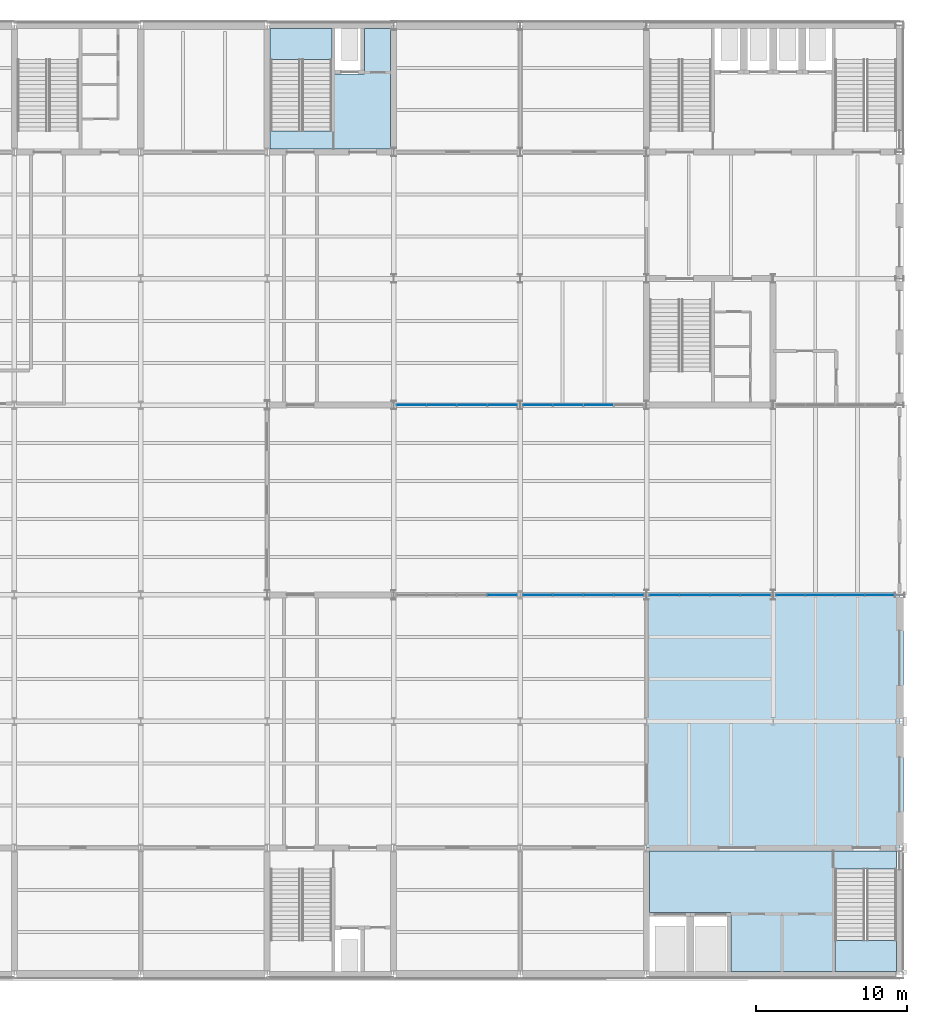
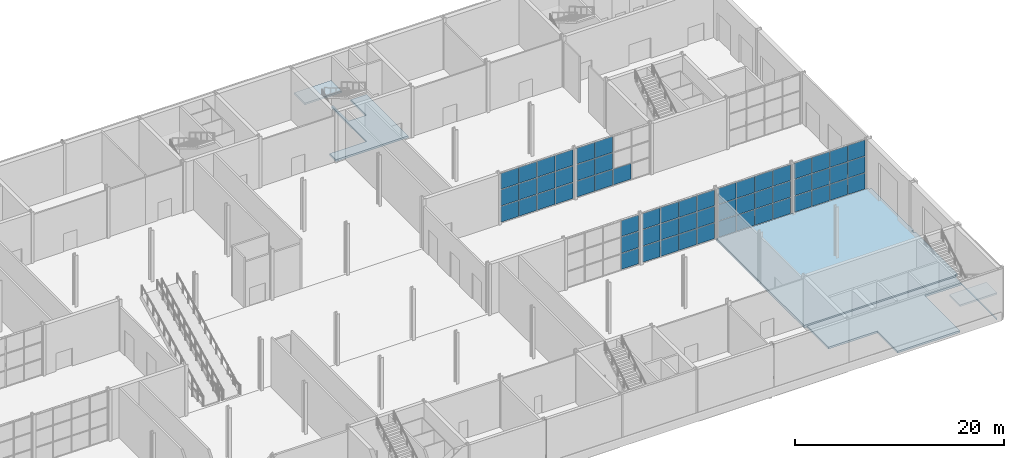
# One storey, part 28 of 55: 58 plates, 5 slabs, 8 elements without a shape of their own.
"""IFC4 building model written with IfcOpenShell, lengths in metres."""

from ifc_helpers import new_model, si_unit, direction, frame, origin, origin_2d, place, context, subcontext, project, spatial, polyline, rectangle, outline, extrude, material, layer, layer_set, type_object, element, aggregate, save


model = new_model("IFC4")

# Units and contexts
model_context = context("Model", 3, precision=1e-05, world=origin(), true_north=direction((0.0, 1.0)))
body_context = subcontext(model_context, "Body", "Model", "MODEL_VIEW")
ifc_project = project(units=[si_unit("LENGTHUNIT", "METRE"), si_unit("AREAUNIT", "SQUARE_METRE"), si_unit("VOLUMEUNIT", "CUBIC_METRE"), si_unit("PLANEANGLEUNIT", "RADIAN"), si_unit("MASSUNIT", "GRAM", prefix="KILO")], contexts=[model_context])

# Site, building, storey
site_placement = place(None, origin())
site = spatial("IfcSite", under=ifc_project, at=site_placement, CompositionType="ELEMENT")
building_placement = place(site_placement, origin())
building = spatial("IfcBuilding", under=site, at=building_placement, Name="Galleria Vessillo Department Store", CompositionType="ELEMENT")
storey_placement = place(building_placement, origin())
storey = spatial("IfcBuildingStorey", under=building, at=storey_placement, Name="L00", CompositionType="ELEMENT", Elevation=0.0)

# Curtain wall, plates
ifc_material_1 = material(Name="Aluminium and glass curtain wall", Category="aluminium")
ifc_layer_1 = layer(ifc_material_1, 0.159912109375)
ifc_layer_set_1 = layer_set([ifc_layer_1], Name="Aluminium and glass curtain wall")
curtain_wall_type_1 = type_object("IfcCurtainWallType", Name="Arcade portal glazing CW2 2100 module", PredefinedType="NOTDEFINED", material=ifc_layer_set_1)
curtain_wall_1_placement = place(storey_placement, origin())
curtain_wall_1 = element("IfcCurtainWall", 1, at=curtain_wall_1_placement, inside=storey, type_object=curtain_wall_type_1, Name="Arcade portal glazing CW2 2100 module PW-E-S-L00-01", PredefinedType="NOTDEFINED")
ifc_material_2 = material(Name="Glass laminated 44.2 low-e", Category="glass")
ifc_layer_2 = layer(ifc_material_2, 0.028076171875)
ifc_layer_set_2 = layer_set([ifc_layer_2], Name="Glass laminated 44.2 low-e")
plate_type_1 = type_object("IfcPlateType", Name="Laminated glass panel 28 mm", PredefinedType="CURTAIN_PANEL", material=ifc_layer_set_2)
plate_1_placement = place(storey_placement, frame((101.97705078125, 25.199951171875, 0.06005859375), z_axis=(0.0, 0.0, 1.0), x_axis=(1.0, 0.0, 0.0)))
plate_1 = element("IfcPlate", 2, at=plate_1_placement, type_object=plate_type_1, Name="CW2 panel 1.1", PredefinedType="CURTAIN_PANEL", context=body_context, shape_type="SweptSolid", body=[
    extrude(rectangle(XDim=1.94873046875, YDim=0.028076171875, at=origin_2d()), origin(), (0.0, 0.0, 1.0), 1.860107421875),
])
plate_2_placement = place(storey_placement, frame((101.97705078125, 25.199951171875, 1.97998046875), z_axis=(0.0, 0.0, 1.0), x_axis=(1.0, 0.0, 0.0)))
plate_2 = element("IfcPlate", 3, at=plate_2_placement, type_object=plate_type_1, Name="CW2 panel 1.2", PredefinedType="CURTAIN_PANEL", context=body_context, shape_type="SweptSolid", body=[
    extrude(rectangle(XDim=1.94873046875, YDim=0.028076171875, at=origin_2d()), origin(), (0.0, 0.0, 1.0), 1.89013671875),
])
plate_3_placement = place(storey_placement, frame((101.97705078125, 25.199951171875, 3.93017578125), z_axis=(0.0, 0.0, 1.0), x_axis=(1.0, 0.0, 0.0)))
plate_3 = element("IfcPlate", 4, at=plate_3_placement, type_object=plate_type_1, Name="CW2 panel 1.3", PredefinedType="CURTAIN_PANEL", context=body_context, shape_type="SweptSolid", body=[
    extrude(rectangle(XDim=1.94873046875, YDim=0.028076171875, at=origin_2d()), origin(), (0.0, 0.0, 1.0), 1.860107421875),
])
plate_4_placement = place(storey_placement, frame((103.98828125, 25.199951171875, 0.06005859375), z_axis=(0.0, 0.0, 1.0), x_axis=(1.0, 0.0, 0.0)))
plate_4 = element("IfcPlate", 5, at=plate_4_placement, type_object=plate_type_1, Name="CW2 panel 2.1", PredefinedType="CURTAIN_PANEL", context=body_context, shape_type="SweptSolid", body=[
    extrude(rectangle(XDim=1.9736328125, YDim=0.028076171875, at=origin_2d()), origin(), (0.0, 0.0, 1.0), 1.860107421875),
])
plate_5_placement = place(storey_placement, frame((103.98828125, 25.199951171875, 1.97998046875), z_axis=(0.0, 0.0, 1.0), x_axis=(1.0, 0.0, 0.0)))
plate_5 = element("IfcPlate", 6, at=plate_5_placement, type_object=plate_type_1, Name="CW2 panel 2.2", PredefinedType="CURTAIN_PANEL", context=body_context, shape_type="SweptSolid", body=[
    extrude(rectangle(XDim=1.9736328125, YDim=0.028076171875, at=origin_2d()), origin(), (0.0, 0.0, 1.0), 1.89013671875),
])
plate_6_placement = place(storey_placement, frame((103.98828125, 25.199951171875, 3.93017578125), z_axis=(0.0, 0.0, 1.0), x_axis=(1.0, 0.0, 0.0)))
plate_6 = element("IfcPlate", 7, at=plate_6_placement, type_object=plate_type_1, Name="CW2 panel 2.3", PredefinedType="CURTAIN_PANEL", context=body_context, shape_type="SweptSolid", body=[
    extrude(rectangle(XDim=1.9736328125, YDim=0.028076171875, at=origin_2d()), origin(), (0.0, 0.0, 1.0), 1.860107421875),
])
plate_7_placement = place(storey_placement, frame((106.01171875, 25.199951171875, 0.06005859375), z_axis=(0.0, 0.0, 1.0), x_axis=(1.0, 0.0, 0.0)))
plate_7 = element("IfcPlate", 8, at=plate_7_placement, type_object=plate_type_1, Name="CW2 panel 3.1", PredefinedType="CURTAIN_PANEL", context=body_context, shape_type="SweptSolid", body=[
    extrude(rectangle(XDim=1.9736328125, YDim=0.028076171875, at=origin_2d()), origin(), (0.0, 0.0, 1.0), 1.860107421875),
])
plate_8_placement = place(storey_placement, frame((106.01171875, 25.199951171875, 1.97998046875), z_axis=(0.0, 0.0, 1.0), x_axis=(1.0, 0.0, 0.0)))
plate_8 = element("IfcPlate", 9, at=plate_8_placement, type_object=plate_type_1, Name="CW2 panel 3.2", PredefinedType="CURTAIN_PANEL", context=body_context, shape_type="SweptSolid", body=[
    extrude(rectangle(XDim=1.9736328125, YDim=0.028076171875, at=origin_2d()), origin(), (0.0, 0.0, 1.0), 1.89013671875),
])
plate_9_placement = place(storey_placement, frame((106.01171875, 25.199951171875, 3.93017578125), z_axis=(0.0, 0.0, 1.0), x_axis=(1.0, 0.0, 0.0)))
plate_9 = element("IfcPlate", 10, at=plate_9_placement, type_object=plate_type_1, Name="CW2 panel 3.3", PredefinedType="CURTAIN_PANEL", context=body_context, shape_type="SweptSolid", body=[
    extrude(rectangle(XDim=1.9736328125, YDim=0.028076171875, at=origin_2d()), origin(), (0.0, 0.0, 1.0), 1.860107421875),
])
plate_10_placement = place(storey_placement, frame((108.02294921875, 25.199951171875, 0.06005859375), z_axis=(0.0, 0.0, 1.0), x_axis=(1.0, 0.0, 0.0)))
plate_10 = element("IfcPlate", 11, at=plate_10_placement, type_object=plate_type_1, Name="CW2 panel 4.1", PredefinedType="CURTAIN_PANEL", context=body_context, shape_type="SweptSolid", body=[
    extrude(rectangle(XDim=1.94873046875, YDim=0.028076171875, at=origin_2d()), origin(), (0.0, 0.0, 1.0), 1.860107421875),
])
plate_11_placement = place(storey_placement, frame((108.02294921875, 25.199951171875, 1.97998046875), z_axis=(0.0, 0.0, 1.0), x_axis=(1.0, 0.0, 0.0)))
plate_11 = element("IfcPlate", 12, at=plate_11_placement, type_object=plate_type_1, Name="CW2 panel 4.2", PredefinedType="CURTAIN_PANEL", context=body_context, shape_type="SweptSolid", body=[
    extrude(rectangle(XDim=1.94873046875, YDim=0.028076171875, at=origin_2d()), origin(), (0.0, 0.0, 1.0), 1.89013671875),
])
plate_12_placement = place(storey_placement, frame((108.02294921875, 25.199951171875, 3.93017578125), z_axis=(0.0, 0.0, 1.0), x_axis=(1.0, 0.0, 0.0)))
plate_12 = element("IfcPlate", 13, at=plate_12_placement, type_object=plate_type_1, Name="CW2 panel 4.3", PredefinedType="CURTAIN_PANEL", context=body_context, shape_type="SweptSolid", body=[
    extrude(rectangle(XDim=1.94873046875, YDim=0.028076171875, at=origin_2d()), origin(), (0.0, 0.0, 1.0), 1.860107421875),
])
aggregate(curtain_wall_1, [plate_1, plate_2, plate_3, plate_4, plate_5, plate_6, plate_7, plate_8, plate_9, plate_10, plate_11, plate_12])

curtain_wall_2_placement = place(storey_placement, origin())
curtain_wall_2 = element("IfcCurtainWall", 14, at=curtain_wall_2_placement, inside=storey, type_object=curtain_wall_type_1, Name="Arcade portal glazing CW2 2100 module PW-E-S-L00-02", PredefinedType="NOTDEFINED")
plate_13_placement = place(storey_placement, frame((110.354248046875, 25.199951171875, 0.06005859375), z_axis=(0.0, 0.0, 1.0), x_axis=(1.0, 0.0, 0.0)))
plate_13 = element("IfcPlate", 15, at=plate_13_placement, type_object=plate_type_1, Name="CW2 panel 1.1", PredefinedType="CURTAIN_PANEL", context=body_context, shape_type="SweptSolid", body=[
    extrude(rectangle(XDim=1.9033203125, YDim=0.028076171875, at=origin_2d()), origin(), (0.0, 0.0, 1.0), 1.860107421875),
])
plate_14_placement = place(storey_placement, frame((110.354248046875, 25.199951171875, 1.97998046875), z_axis=(0.0, 0.0, 1.0), x_axis=(1.0, 0.0, 0.0)))
plate_14 = element("IfcPlate", 16, at=plate_14_placement, type_object=plate_type_1, Name="CW2 panel 1.2", PredefinedType="CURTAIN_PANEL", context=body_context, shape_type="SweptSolid", body=[
    extrude(rectangle(XDim=1.9033203125, YDim=0.028076171875, at=origin_2d()), origin(), (0.0, 0.0, 1.0), 1.89013671875),
])
plate_15_placement = place(storey_placement, frame((110.354248046875, 25.199951171875, 3.93017578125), z_axis=(0.0, 0.0, 1.0), x_axis=(1.0, 0.0, 0.0)))
plate_15 = element("IfcPlate", 17, at=plate_15_placement, type_object=plate_type_1, Name="CW2 panel 1.3", PredefinedType="CURTAIN_PANEL", context=body_context, shape_type="SweptSolid", body=[
    extrude(rectangle(XDim=1.9033203125, YDim=0.028076171875, at=origin_2d()), origin(), (0.0, 0.0, 1.0), 1.860107421875),
])
plate_16_placement = place(storey_placement, frame((112.320068359375, 25.199951171875, 0.06005859375), z_axis=(0.0, 0.0, 1.0), x_axis=(1.0, 0.0, 0.0)))
plate_16 = element("IfcPlate", 18, at=plate_16_placement, type_object=plate_type_1, Name="CW2 panel 2.1", PredefinedType="CURTAIN_PANEL", context=body_context, shape_type="SweptSolid", body=[
    extrude(rectangle(XDim=1.928466796875, YDim=0.028076171875, at=origin_2d()), origin(), (0.0, 0.0, 1.0), 1.860107421875),
])
plate_17_placement = place(storey_placement, frame((112.320068359375, 25.199951171875, 1.97998046875), z_axis=(0.0, 0.0, 1.0), x_axis=(1.0, 0.0, 0.0)))
plate_17 = element("IfcPlate", 19, at=plate_17_placement, type_object=plate_type_1, Name="CW2 panel 2.2", PredefinedType="CURTAIN_PANEL", context=body_context, shape_type="SweptSolid", body=[
    extrude(rectangle(XDim=1.928466796875, YDim=0.028076171875, at=origin_2d()), origin(), (0.0, 0.0, 1.0), 1.89013671875),
])
plate_18_placement = place(storey_placement, frame((112.320068359375, 25.199951171875, 3.93017578125), z_axis=(0.0, 0.0, 1.0), x_axis=(1.0, 0.0, 0.0)))
plate_18 = element("IfcPlate", 20, at=plate_18_placement, type_object=plate_type_1, Name="CW2 panel 2.3", PredefinedType="CURTAIN_PANEL", context=body_context, shape_type="SweptSolid", body=[
    extrude(rectangle(XDim=1.928466796875, YDim=0.028076171875, at=origin_2d()), origin(), (0.0, 0.0, 1.0), 1.860107421875),
])
plate_19_placement = place(storey_placement, frame((114.298583984375, 25.199951171875, 0.06005859375), z_axis=(0.0, 0.0, 1.0), x_axis=(1.0, 0.0, 0.0)))
plate_19 = element("IfcPlate", 21, at=plate_19_placement, type_object=plate_type_1, Name="CW2 panel 3.1", PredefinedType="CURTAIN_PANEL", context=body_context, shape_type="SweptSolid", body=[
    extrude(rectangle(XDim=1.928466796875, YDim=0.028076171875, at=origin_2d()), origin(), (0.0, 0.0, 1.0), 1.860107421875),
])
plate_20_placement = place(storey_placement, frame((114.298583984375, 25.199951171875, 1.97998046875), z_axis=(0.0, 0.0, 1.0), x_axis=(1.0, 0.0, 0.0)))
plate_20 = element("IfcPlate", 22, at=plate_20_placement, type_object=plate_type_1, Name="CW2 panel 3.2", PredefinedType="CURTAIN_PANEL", context=body_context, shape_type="SweptSolid", body=[
    extrude(rectangle(XDim=1.928466796875, YDim=0.028076171875, at=origin_2d()), origin(), (0.0, 0.0, 1.0), 1.89013671875),
])
plate_21_placement = place(storey_placement, frame((114.298583984375, 25.199951171875, 3.93017578125), z_axis=(0.0, 0.0, 1.0), x_axis=(1.0, 0.0, 0.0)))
plate_21 = element("IfcPlate", 23, at=plate_21_placement, type_object=plate_type_1, Name="CW2 panel 3.3", PredefinedType="CURTAIN_PANEL", context=body_context, shape_type="SweptSolid", body=[
    extrude(rectangle(XDim=1.928466796875, YDim=0.028076171875, at=origin_2d()), origin(), (0.0, 0.0, 1.0), 1.860107421875),
])
plate_22_placement = place(storey_placement, frame((116.264404296875, 25.199951171875, 0.06005859375), z_axis=(0.0, 0.0, 1.0), x_axis=(1.0, 0.0, 0.0)))
plate_22 = element("IfcPlate", 24, at=plate_22_placement, type_object=plate_type_1, Name="CW2 panel 4.1", PredefinedType="CURTAIN_PANEL", context=body_context, shape_type="SweptSolid", body=[
    extrude(rectangle(XDim=1.9033203125, YDim=0.028076171875, at=origin_2d()), origin(), (0.0, 0.0, 1.0), 1.860107421875),
])
plate_23_placement = place(storey_placement, frame((116.264404296875, 25.199951171875, 1.97998046875), z_axis=(0.0, 0.0, 1.0), x_axis=(1.0, 0.0, 0.0)))
plate_23 = element("IfcPlate", 25, at=plate_23_placement, type_object=plate_type_1, Name="CW2 panel 4.2", PredefinedType="CURTAIN_PANEL", context=body_context, shape_type="SweptSolid", body=[
    extrude(rectangle(XDim=1.9033203125, YDim=0.028076171875, at=origin_2d()), origin(), (0.0, 0.0, 1.0), 1.89013671875),
])
plate_24_placement = place(storey_placement, frame((116.264404296875, 25.199951171875, 3.93017578125), z_axis=(0.0, 0.0, 1.0), x_axis=(1.0, 0.0, 0.0)))
plate_24 = element("IfcPlate", 26, at=plate_24_placement, type_object=plate_type_1, Name="CW2 panel 4.3", PredefinedType="CURTAIN_PANEL", context=body_context, shape_type="SweptSolid", body=[
    extrude(rectangle(XDim=1.9033203125, YDim=0.028076171875, at=origin_2d()), origin(), (0.0, 0.0, 1.0), 1.860107421875),
])
aggregate(curtain_wall_2, [plate_13, plate_14, plate_15, plate_16, plate_17, plate_18, plate_19, plate_20, plate_21, plate_22, plate_23, plate_24])

ifc_material_3 = material(Name="Aluminium and glass curtain wall", Category="aluminium")
ifc_layer_3 = layer(ifc_material_3, 0.199951171875)
ifc_layer_set_3 = layer_set([ifc_layer_3], Name="Aluminium and glass curtain wall")
curtain_wall_type_2 = type_object("IfcCurtainWallType", Name="Arcade curtain wall CW1 2100 module", PredefinedType="NOTDEFINED", material=ifc_layer_set_3)
curtain_wall_3_placement = place(storey_placement, origin())
curtain_wall_3 = element("IfcCurtainWall", 27, at=curtain_wall_3_placement, inside=storey, type_object=curtain_wall_type_2, Name="Arcade curtain wall CW1 2100 module AI-AE-S-L00-01", PredefinedType="NOTDEFINED")
ifc_material_4 = material(Name="Glass laminated 44.2 low-e", Category="glass")
ifc_layer_4 = layer(ifc_material_4, 0.031982421875)
ifc_layer_set_4 = layer_set([ifc_layer_4], Name="Glass laminated 44.2 low-e")
plate_type_2 = type_object("IfcPlateType", Name="Laminated glass panel 32 mm", PredefinedType="CURTAIN_PANEL", material=ifc_layer_set_4)
plate_25_placement = place(storey_placement, frame((91.219970703125, 25.199951171875, 0.06982421875), z_axis=(0.0, 0.0, 1.0), x_axis=(1.0, 0.0, 0.0)))
plate_25 = element("IfcPlate", 28, at=plate_25_placement, type_object=plate_type_2, Name="CW1 panel 4.1", PredefinedType="CURTAIN_PANEL", context=body_context, shape_type="SweptSolid", body=[
    extrude(rectangle(XDim=1.93359375, YDim=0.031982421875, at=origin_2d()), origin(), (0.0, 0.0, 1.0), 1.844970703125),
])
plate_26_placement = place(storey_placement, frame((91.219970703125, 25.199951171875, 1.98486328125), z_axis=(0.0, 0.0, 1.0), x_axis=(1.0, 0.0, 0.0)))
plate_26 = element("IfcPlate", 29, at=plate_26_placement, type_object=plate_type_2, Name="CW1 panel 4.2", PredefinedType="CURTAIN_PANEL", context=body_context, shape_type="SweptSolid", body=[
    extrude(rectangle(XDim=1.93359375, YDim=0.031982421875, at=origin_2d()), origin(), (0.0, 0.0, 1.0), 1.880126953125),
])
plate_27_placement = place(storey_placement, frame((91.219970703125, 25.199951171875, 3.93505859375), z_axis=(0.0, 0.0, 1.0), x_axis=(1.0, 0.0, 0.0)))
plate_27 = element("IfcPlate", 30, at=plate_27_placement, type_object=plate_type_2, Name="CW1 panel 4.3", PredefinedType="CURTAIN_PANEL", context=body_context, shape_type="SweptSolid", body=[
    extrude(rectangle(XDim=1.93359375, YDim=0.031982421875, at=origin_2d()), origin(), (0.0, 0.0, 1.0), 1.844970703125),
])
aggregate(curtain_wall_3, [plate_25, plate_26, plate_27])

curtain_wall_4_placement = place(storey_placement, origin())
curtain_wall_4 = element("IfcCurtainWall", 31, at=curtain_wall_4_placement, inside=storey, type_object=curtain_wall_type_2, Name="Arcade curtain wall CW1 2100 module AI-AE-S-L00-02", PredefinedType="NOTDEFINED")
plate_28_placement = place(storey_placement, frame((93.579833984375, 25.199951171875, 0.06982421875), z_axis=(0.0, 0.0, 1.0), x_axis=(1.0, 0.0, 0.0)))
plate_28 = element("IfcPlate", 32, at=plate_28_placement, type_object=plate_type_2, Name="CW1 panel 1.1", PredefinedType="CURTAIN_PANEL", context=body_context, shape_type="SweptSolid", body=[
    extrude(rectangle(XDim=1.93359375, YDim=0.031982421875, at=origin_2d()), origin(), (0.0, 0.0, 1.0), 1.844970703125),
])
plate_29_placement = place(storey_placement, frame((93.579833984375, 25.199951171875, 1.98486328125), z_axis=(0.0, 0.0, 1.0), x_axis=(1.0, 0.0, 0.0)))
plate_29 = element("IfcPlate", 33, at=plate_29_placement, type_object=plate_type_2, Name="CW1 panel 1.2", PredefinedType="CURTAIN_PANEL", context=body_context, shape_type="SweptSolid", body=[
    extrude(rectangle(XDim=1.93359375, YDim=0.031982421875, at=origin_2d()), origin(), (0.0, 0.0, 1.0), 1.880126953125),
])
plate_30_placement = place(storey_placement, frame((93.579833984375, 25.199951171875, 3.93505859375), z_axis=(0.0, 0.0, 1.0), x_axis=(1.0, 0.0, 0.0)))
plate_30 = element("IfcPlate", 34, at=plate_30_placement, type_object=plate_type_2, Name="CW1 panel 1.3", PredefinedType="CURTAIN_PANEL", context=body_context, shape_type="SweptSolid", body=[
    extrude(rectangle(XDim=1.93359375, YDim=0.031982421875, at=origin_2d()), origin(), (0.0, 0.0, 1.0), 1.844970703125),
])
plate_31_placement = place(storey_placement, frame((95.58837890625, 25.199951171875, 0.06982421875), z_axis=(0.0, 0.0, 1.0), x_axis=(1.0, 0.0, 0.0)))
plate_31 = element("IfcPlate", 35, at=plate_31_placement, type_object=plate_type_2, Name="CW1 panel 2.1", PredefinedType="CURTAIN_PANEL", context=body_context, shape_type="SweptSolid", body=[
    extrude(rectangle(XDim=1.963623046875, YDim=0.031982421875, at=origin_2d()), origin(), (0.0, 0.0, 1.0), 1.844970703125),
])
plate_32_placement = place(storey_placement, frame((95.58837890625, 25.199951171875, 1.98486328125), z_axis=(0.0, 0.0, 1.0), x_axis=(1.0, 0.0, 0.0)))
plate_32 = element("IfcPlate", 36, at=plate_32_placement, type_object=plate_type_2, Name="CW1 panel 2.2", PredefinedType="CURTAIN_PANEL", context=body_context, shape_type="SweptSolid", body=[
    extrude(rectangle(XDim=1.963623046875, YDim=0.031982421875, at=origin_2d()), origin(), (0.0, 0.0, 1.0), 1.880126953125),
])
plate_33_placement = place(storey_placement, frame((95.58837890625, 25.199951171875, 3.93505859375), z_axis=(0.0, 0.0, 1.0), x_axis=(1.0, 0.0, 0.0)))
plate_33 = element("IfcPlate", 37, at=plate_33_placement, type_object=plate_type_2, Name="CW1 panel 2.3", PredefinedType="CURTAIN_PANEL", context=body_context, shape_type="SweptSolid", body=[
    extrude(rectangle(XDim=1.963623046875, YDim=0.031982421875, at=origin_2d()), origin(), (0.0, 0.0, 1.0), 1.844970703125),
])
plate_34_placement = place(storey_placement, frame((97.612060546875, 25.199951171875, 0.06982421875), z_axis=(0.0, 0.0, 1.0), x_axis=(1.0, 0.0, 0.0)))
plate_34 = element("IfcPlate", 38, at=plate_34_placement, type_object=plate_type_2, Name="CW1 panel 3.1", PredefinedType="CURTAIN_PANEL", context=body_context, shape_type="SweptSolid", body=[
    extrude(rectangle(XDim=1.963623046875, YDim=0.031982421875, at=origin_2d()), origin(), (0.0, 0.0, 1.0), 1.844970703125),
])
plate_35_placement = place(storey_placement, frame((97.612060546875, 25.199951171875, 1.98486328125), z_axis=(0.0, 0.0, 1.0), x_axis=(1.0, 0.0, 0.0)))
plate_35 = element("IfcPlate", 39, at=plate_35_placement, type_object=plate_type_2, Name="CW1 panel 3.2", PredefinedType="CURTAIN_PANEL", context=body_context, shape_type="SweptSolid", body=[
    extrude(rectangle(XDim=1.963623046875, YDim=0.031982421875, at=origin_2d()), origin(), (0.0, 0.0, 1.0), 1.880126953125),
])
plate_36_placement = place(storey_placement, frame((97.612060546875, 25.199951171875, 3.93505859375), z_axis=(0.0, 0.0, 1.0), x_axis=(1.0, 0.0, 0.0)))
plate_36 = element("IfcPlate", 40, at=plate_36_placement, type_object=plate_type_2, Name="CW1 panel 3.3", PredefinedType="CURTAIN_PANEL", context=body_context, shape_type="SweptSolid", body=[
    extrude(rectangle(XDim=1.963623046875, YDim=0.031982421875, at=origin_2d()), origin(), (0.0, 0.0, 1.0), 1.844970703125),
])
plate_37_placement = place(storey_placement, frame((99.62060546875, 25.199951171875, 0.06982421875), z_axis=(0.0, 0.0, 1.0), x_axis=(1.0, 0.0, 0.0)))
plate_37 = element("IfcPlate", 41, at=plate_37_placement, type_object=plate_type_2, Name="CW1 panel 4.1", PredefinedType="CURTAIN_PANEL", context=body_context, shape_type="SweptSolid", body=[
    extrude(rectangle(XDim=1.93359375, YDim=0.031982421875, at=origin_2d()), origin(), (0.0, 0.0, 1.0), 1.844970703125),
])
plate_38_placement = place(storey_placement, frame((99.62060546875, 25.199951171875, 1.98486328125), z_axis=(0.0, 0.0, 1.0), x_axis=(1.0, 0.0, 0.0)))
plate_38 = element("IfcPlate", 42, at=plate_38_placement, type_object=plate_type_2, Name="CW1 panel 4.2", PredefinedType="CURTAIN_PANEL", context=body_context, shape_type="SweptSolid", body=[
    extrude(rectangle(XDim=1.93359375, YDim=0.031982421875, at=origin_2d()), origin(), (0.0, 0.0, 1.0), 1.880126953125),
])
plate_39_placement = place(storey_placement, frame((99.62060546875, 25.199951171875, 3.93505859375), z_axis=(0.0, 0.0, 1.0), x_axis=(1.0, 0.0, 0.0)))
plate_39 = element("IfcPlate", 43, at=plate_39_placement, type_object=plate_type_2, Name="CW1 panel 4.3", PredefinedType="CURTAIN_PANEL", context=body_context, shape_type="SweptSolid", body=[
    extrude(rectangle(XDim=1.93359375, YDim=0.031982421875, at=origin_2d()), origin(), (0.0, 0.0, 1.0), 1.844970703125),
])
aggregate(curtain_wall_4, [plate_28, plate_29, plate_30, plate_31, plate_32, plate_33, plate_34, plate_35, plate_36, plate_37, plate_38, plate_39])

curtain_wall_5_placement = place(storey_placement, origin())
curtain_wall_5 = element("IfcCurtainWall", 44, at=curtain_wall_5_placement, inside=storey, type_object=curtain_wall_type_2, Name="Arcade curtain wall CW1 2100 module AI-AE-N-L00-01", PredefinedType="NOTDEFINED")
plate_40_placement = place(storey_placement, frame((85.1796875, 37.800048828125, 0.06982421875), z_axis=(0.0, 0.0, 1.0), x_axis=(1.0, 0.0, 0.0)))
plate_40 = element("IfcPlate", 45, at=plate_40_placement, type_object=plate_type_2, Name="CW1 panel 1.1", PredefinedType="CURTAIN_PANEL", context=body_context, shape_type="SweptSolid", body=[
    extrude(rectangle(XDim=1.933349609375, YDim=0.031982421875, at=origin_2d()), origin(), (0.0, 0.0, 1.0), 1.844970703125),
])
plate_41_placement = place(storey_placement, frame((85.1796875, 37.800048828125, 1.98486328125), z_axis=(0.0, 0.0, 1.0), x_axis=(1.0, 0.0, 0.0)))
plate_41 = element("IfcPlate", 46, at=plate_41_placement, type_object=plate_type_2, Name="CW1 panel 1.2", PredefinedType="CURTAIN_PANEL", context=body_context, shape_type="SweptSolid", body=[
    extrude(rectangle(XDim=1.933349609375, YDim=0.031982421875, at=origin_2d()), origin(), (0.0, 0.0, 1.0), 1.880126953125),
])
plate_42_placement = place(storey_placement, frame((85.1796875, 37.800048828125, 3.93505859375), z_axis=(0.0, 0.0, 1.0), x_axis=(1.0, 0.0, 0.0)))
plate_42 = element("IfcPlate", 47, at=plate_42_placement, type_object=plate_type_2, Name="CW1 panel 1.3", PredefinedType="CURTAIN_PANEL", context=body_context, shape_type="SweptSolid", body=[
    extrude(rectangle(XDim=1.933349609375, YDim=0.031982421875, at=origin_2d()), origin(), (0.0, 0.0, 1.0), 1.844970703125),
])
plate_43_placement = place(storey_placement, frame((87.188232421875, 37.800048828125, 0.06982421875), z_axis=(0.0, 0.0, 1.0), x_axis=(1.0, 0.0, 0.0)))
plate_43 = element("IfcPlate", 48, at=plate_43_placement, type_object=plate_type_2, Name="CW1 panel 2.1", PredefinedType="CURTAIN_PANEL", context=body_context, shape_type="SweptSolid", body=[
    extrude(rectangle(XDim=1.96337890625, YDim=0.031982421875, at=origin_2d()), origin(), (0.0, 0.0, 1.0), 1.844970703125),
])
plate_44_placement = place(storey_placement, frame((87.188232421875, 37.800048828125, 1.98486328125), z_axis=(0.0, 0.0, 1.0), x_axis=(1.0, 0.0, 0.0)))
plate_44 = element("IfcPlate", 49, at=plate_44_placement, type_object=plate_type_2, Name="CW1 panel 2.2", PredefinedType="CURTAIN_PANEL", context=body_context, shape_type="SweptSolid", body=[
    extrude(rectangle(XDim=1.96337890625, YDim=0.031982421875, at=origin_2d()), origin(), (0.0, 0.0, 1.0), 1.880126953125),
])
plate_45_placement = place(storey_placement, frame((87.188232421875, 37.800048828125, 3.93505859375), z_axis=(0.0, 0.0, 1.0), x_axis=(1.0, 0.0, 0.0)))
plate_45 = element("IfcPlate", 50, at=plate_45_placement, type_object=plate_type_2, Name="CW1 panel 2.3", PredefinedType="CURTAIN_PANEL", context=body_context, shape_type="SweptSolid", body=[
    extrude(rectangle(XDim=1.96337890625, YDim=0.031982421875, at=origin_2d()), origin(), (0.0, 0.0, 1.0), 1.844970703125),
])
plate_46_placement = place(storey_placement, frame((89.211669921875, 37.800048828125, 0.06982421875), z_axis=(0.0, 0.0, 1.0), x_axis=(1.0, 0.0, 0.0)))
plate_46 = element("IfcPlate", 51, at=plate_46_placement, type_object=plate_type_2, Name="CW1 panel 3.1", PredefinedType="CURTAIN_PANEL", context=body_context, shape_type="SweptSolid", body=[
    extrude(rectangle(XDim=1.96337890625, YDim=0.031982421875, at=origin_2d()), origin(), (0.0, 0.0, 1.0), 1.844970703125),
])
plate_47_placement = place(storey_placement, frame((89.211669921875, 37.800048828125, 1.98486328125), z_axis=(0.0, 0.0, 1.0), x_axis=(1.0, 0.0, 0.0)))
plate_47 = element("IfcPlate", 52, at=plate_47_placement, type_object=plate_type_2, Name="CW1 panel 3.2", PredefinedType="CURTAIN_PANEL", context=body_context, shape_type="SweptSolid", body=[
    extrude(rectangle(XDim=1.96337890625, YDim=0.031982421875, at=origin_2d()), origin(), (0.0, 0.0, 1.0), 1.880126953125),
])
plate_48_placement = place(storey_placement, frame((89.211669921875, 37.800048828125, 3.93505859375), z_axis=(0.0, 0.0, 1.0), x_axis=(1.0, 0.0, 0.0)))
plate_48 = element("IfcPlate", 53, at=plate_48_placement, type_object=plate_type_2, Name="CW1 panel 3.3", PredefinedType="CURTAIN_PANEL", context=body_context, shape_type="SweptSolid", body=[
    extrude(rectangle(XDim=1.96337890625, YDim=0.031982421875, at=origin_2d()), origin(), (0.0, 0.0, 1.0), 1.844970703125),
])
plate_49_placement = place(storey_placement, frame((91.22021484375, 37.800048828125, 0.06982421875), z_axis=(0.0, 0.0, 1.0), x_axis=(1.0, 0.0, 0.0)))
plate_49 = element("IfcPlate", 54, at=plate_49_placement, type_object=plate_type_2, Name="CW1 panel 4.1", PredefinedType="CURTAIN_PANEL", context=body_context, shape_type="SweptSolid", body=[
    extrude(rectangle(XDim=1.933349609375, YDim=0.031982421875, at=origin_2d()), origin(), (0.0, 0.0, 1.0), 1.844970703125),
])
plate_50_placement = place(storey_placement, frame((91.22021484375, 37.800048828125, 1.98486328125), z_axis=(0.0, 0.0, 1.0), x_axis=(1.0, 0.0, 0.0)))
plate_50 = element("IfcPlate", 55, at=plate_50_placement, type_object=plate_type_2, Name="CW1 panel 4.2", PredefinedType="CURTAIN_PANEL", context=body_context, shape_type="SweptSolid", body=[
    extrude(rectangle(XDim=1.933349609375, YDim=0.031982421875, at=origin_2d()), origin(), (0.0, 0.0, 1.0), 1.880126953125),
])
plate_51_placement = place(storey_placement, frame((91.22021484375, 37.800048828125, 3.93505859375), z_axis=(0.0, 0.0, 1.0), x_axis=(1.0, 0.0, 0.0)))
plate_51 = element("IfcPlate", 56, at=plate_51_placement, type_object=plate_type_2, Name="CW1 panel 4.3", PredefinedType="CURTAIN_PANEL", context=body_context, shape_type="SweptSolid", body=[
    extrude(rectangle(XDim=1.933349609375, YDim=0.031982421875, at=origin_2d()), origin(), (0.0, 0.0, 1.0), 1.844970703125),
])
aggregate(curtain_wall_5, [plate_40, plate_41, plate_42, plate_43, plate_44, plate_45, plate_46, plate_47, plate_48, plate_49, plate_50, plate_51])

curtain_wall_6_placement = place(storey_placement, origin())
curtain_wall_6 = element("IfcCurtainWall", 57, at=curtain_wall_6_placement, inside=storey, type_object=curtain_wall_type_2, Name="Arcade curtain wall CW1 2100 module AI-AE-N-L00-02", PredefinedType="NOTDEFINED")
plate_52_placement = place(storey_placement, frame((93.579833984375, 37.800048828125, 0.06982421875), z_axis=(0.0, 0.0, 1.0), x_axis=(1.0, 0.0, 0.0)))
plate_52 = element("IfcPlate", 58, at=plate_52_placement, type_object=plate_type_2, Name="CW1 panel 1.1", PredefinedType="CURTAIN_PANEL", context=body_context, shape_type="SweptSolid", body=[
    extrude(rectangle(XDim=1.93359375, YDim=0.031982421875, at=origin_2d()), origin(), (0.0, 0.0, 1.0), 1.844970703125),
])
plate_53_placement = place(storey_placement, frame((93.579833984375, 37.800048828125, 1.98486328125), z_axis=(0.0, 0.0, 1.0), x_axis=(1.0, 0.0, 0.0)))
plate_53 = element("IfcPlate", 59, at=plate_53_placement, type_object=plate_type_2, Name="CW1 panel 1.2", PredefinedType="CURTAIN_PANEL", context=body_context, shape_type="SweptSolid", body=[
    extrude(rectangle(XDim=1.93359375, YDim=0.031982421875, at=origin_2d()), origin(), (0.0, 0.0, 1.0), 1.880126953125),
])
plate_54_placement = place(storey_placement, frame((93.579833984375, 37.800048828125, 3.93505859375), z_axis=(0.0, 0.0, 1.0), x_axis=(1.0, 0.0, 0.0)))
plate_54 = element("IfcPlate", 60, at=plate_54_placement, type_object=plate_type_2, Name="CW1 panel 1.3", PredefinedType="CURTAIN_PANEL", context=body_context, shape_type="SweptSolid", body=[
    extrude(rectangle(XDim=1.93359375, YDim=0.031982421875, at=origin_2d()), origin(), (0.0, 0.0, 1.0), 1.844970703125),
])
plate_55_placement = place(storey_placement, frame((95.588134765625, 37.800048828125, 0.06982421875), z_axis=(0.0, 0.0, 1.0), x_axis=(1.0, 0.0, 0.0)))
plate_55 = element("IfcPlate", 61, at=plate_55_placement, type_object=plate_type_2, Name="CW1 panel 2.1", PredefinedType="CURTAIN_PANEL", context=body_context, shape_type="SweptSolid", body=[
    extrude(rectangle(XDim=1.96337890625, YDim=0.031982421875, at=origin_2d()), origin(), (0.0, 0.0, 1.0), 1.844970703125),
])
plate_56_placement = place(storey_placement, frame((95.588134765625, 37.800048828125, 1.98486328125), z_axis=(0.0, 0.0, 1.0), x_axis=(1.0, 0.0, 0.0)))
plate_56 = element("IfcPlate", 62, at=plate_56_placement, type_object=plate_type_2, Name="CW1 panel 2.2", PredefinedType="CURTAIN_PANEL", context=body_context, shape_type="SweptSolid", body=[
    extrude(rectangle(XDim=1.96337890625, YDim=0.031982421875, at=origin_2d()), origin(), (0.0, 0.0, 1.0), 1.880126953125),
])
plate_57_placement = place(storey_placement, frame((95.588134765625, 37.800048828125, 3.93505859375), z_axis=(0.0, 0.0, 1.0), x_axis=(1.0, 0.0, 0.0)))
plate_57 = element("IfcPlate", 63, at=plate_57_placement, type_object=plate_type_2, Name="CW1 panel 2.3", PredefinedType="CURTAIN_PANEL", context=body_context, shape_type="SweptSolid", body=[
    extrude(rectangle(XDim=1.96337890625, YDim=0.031982421875, at=origin_2d()), origin(), (0.0, 0.0, 1.0), 1.844970703125),
])
plate_58_placement = place(storey_placement, frame((97.61181640625, 37.800048828125, 0.06982421875), z_axis=(0.0, 0.0, 1.0), x_axis=(1.0, 0.0, 0.0)))
plate_58 = element("IfcPlate", 64, at=plate_58_placement, type_object=plate_type_2, Name="CW1 panel 3.1", PredefinedType="CURTAIN_PANEL", context=body_context, shape_type="SweptSolid", body=[
    extrude(rectangle(XDim=1.96337890625, YDim=0.031982421875, at=origin_2d()), origin(), (0.0, 0.0, 1.0), 1.844970703125),
])
aggregate(curtain_wall_6, [plate_52, plate_53, plate_54, plate_55, plate_56, plate_57, plate_58])

# Slabs
ifc_material_5 = material(Name="Concrete C32/40 reinforced", Category="concrete")
ifc_layer_5 = layer(ifc_material_5, 0.300048828125)
ifc_layer_set_5 = layer_set([ifc_layer_5], Name="Concrete C32/40 reinforced")
slab_type_1 = type_object("IfcSlabType", Name="Loading dock slab 300 mm", PredefinedType="FLOOR", material=ifc_layer_set_5)
slab_1_placement = place(storey_placement, frame((0.0, 0.0, -0.300048828125)))
element("IfcSlab", 65, at=slab_1_placement, inside=storey, type_object=slab_type_1, Name="S-SLAB-L00-DOCK", PredefinedType="FLOOR", context=body_context, shape_type="SweptSolid", body=[
    extrude(outline(polyline([(117.85009765625, 16.6494140625), (117.85009765625, 8.550537109375), (117.60009765625, 8.550537109375), (117.60009765625, 8.39990234375), (100.800048828125, 8.39990234375), (100.800048828125, 25.199951171875), (117.60009765625, 25.199951171875), (117.60009765625, 25.046875), (117.85009765625, 25.046875), (117.85009765625, 16.95068359375), (117.60009765625, 16.95068359375), (117.60009765625, 16.6494140625), (117.85009765625, 16.6494140625)])), origin(), (0.0, 0.0, 1.0), 0.300048828125),
])
ifc_material_6 = material(Name="Concrete C32/40 reinforced", Category="concrete")
ifc_layer_6 = layer(ifc_material_6, 0.219970703125)
ifc_layer_set_6 = layer_set([ifc_layer_6], Name="Concrete C32/40 reinforced")
slab_type_2 = type_object("IfcSlabType", Name="Reinforced concrete core floor slab 220 mm", PredefinedType="FLOOR", material=ifc_layer_set_6)
slab_2_placement = place(storey_placement, frame((0.0, 0.0, -0.219970703125)))
element("IfcSlab", 66, at=slab_2_placement, inside=storey, type_object=slab_type_2, Name="S-SLAB-L00-CORE-PC-NE", PredefinedType="FLOOR", context=body_context, shape_type="SweptSolid", body=[
    extrude(outline(polyline([(83.800048828125, 62.800048828125), (83.800048828125, 54.800048828125), (75.800048828125, 54.800048828125), (75.800048828125, 56.0), (79.89990234375, 56.0), (79.89990234375, 62.800048828125), (80.10009765625, 62.800048828125), (80.10009765625, 59.800048828125), (82.050048828125, 59.800048828125), (82.050048828125, 62.800048828125), (83.800048828125, 62.800048828125)])), origin(), (0.0, 0.0, 1.0), 0.219970703125),
])
slab_3_placement = place(storey_placement, frame((0.0, 0.0, -0.219970703125)))
element("IfcSlab", 67, at=slab_3_placement, inside=storey, type_object=slab_type_2, Name="S-SLAB-L00-CORE-GC", PredefinedType="FLOOR", context=body_context, shape_type="SweptSolid", body=[
    extrude(outline(polyline([(101.0, 8.199951171875), (117.400146484375, 8.199951171875), (117.39990234375, 0.199951171875), (117.39990234375, 7.0), (113.300048828125, 7.0), (113.300048828125, 0.199951171875), (106.39990234375, 0.199951171875), (106.39990234375, 4.10009765625), (101.0, 4.10009765625), (101.0, 8.199951171875)])), origin(), (0.0, 0.0, 1.0), 0.219970703125),
])

# Stair, slab
ifc_material_7 = material(Name="Concrete C32/40", Category="concrete")
stair_type = type_object("IfcStairType", Name="Half-turn escape stair 2000 mm, 36 risers of 167 mm", PredefinedType="HALF_TURN_STAIR", material=ifc_material_7)
stair_1_placement = place(storey_placement, origin())
stair_1 = element("IfcStair", 68, at=stair_1_placement, inside=storey, type_object=stair_type, Name="Stair ST6 L00", PredefinedType="HALF_TURN_STAIR")
ifc_material_8 = material(Name="Concrete C32/40", Category="concrete")
ifc_layer_7 = layer(ifc_material_8, 0.199951171875)
ifc_layer_set_7 = layer_set([ifc_layer_7], Name="Concrete C32/40")
slab_type_3 = type_object("IfcSlabType", Name="Stair half landing 4100 x 2040 mm", PredefinedType="LANDING", material=ifc_layer_set_7)
slab_4_placement = place(storey_placement, frame((0.0, 0.0, 2.800048828125)))
slab_4 = element("IfcSlab", 69, at=slab_4_placement, type_object=slab_type_3, Name="ST6 landing 1", PredefinedType="LANDING", context=body_context, shape_type="SweptSolid", body=[
    extrude(outline(polyline([(75.800048828125, 60.760009765625), (75.800048828125, 62.800048828125), (79.900146484375, 62.800048828125), (79.900146484375, 60.760009765625), (75.800048828125, 60.760009765625)])), origin(), (0.0, 0.0, 1.0), 0.199951171875),
])
aggregate(stair_1, [slab_4])

stair_2_placement = place(storey_placement, origin())
stair_2 = element("IfcStair", 70, at=stair_2_placement, inside=storey, type_object=stair_type, Name="Stair ST7 L00", PredefinedType="HALF_TURN_STAIR")
slab_5_placement = place(storey_placement, frame((0.0, 0.0, 2.800048828125)))
slab_5 = element("IfcSlab", 71, at=slab_5_placement, type_object=slab_type_3, Name="ST7 landing 1", PredefinedType="LANDING", context=body_context, shape_type="SweptSolid", body=[
    extrude(outline(polyline([(113.300048828125, 0.199951171875), (113.300048828125, 2.239990234375), (117.400146484375, 2.239990234375), (117.400146484375, 0.199951171875), (113.300048828125, 0.199951171875)])), origin(), (0.0, 0.0, 1.0), 0.199951171875),
])
aggregate(stair_2, [slab_5])

save(model, "model.ifc")
